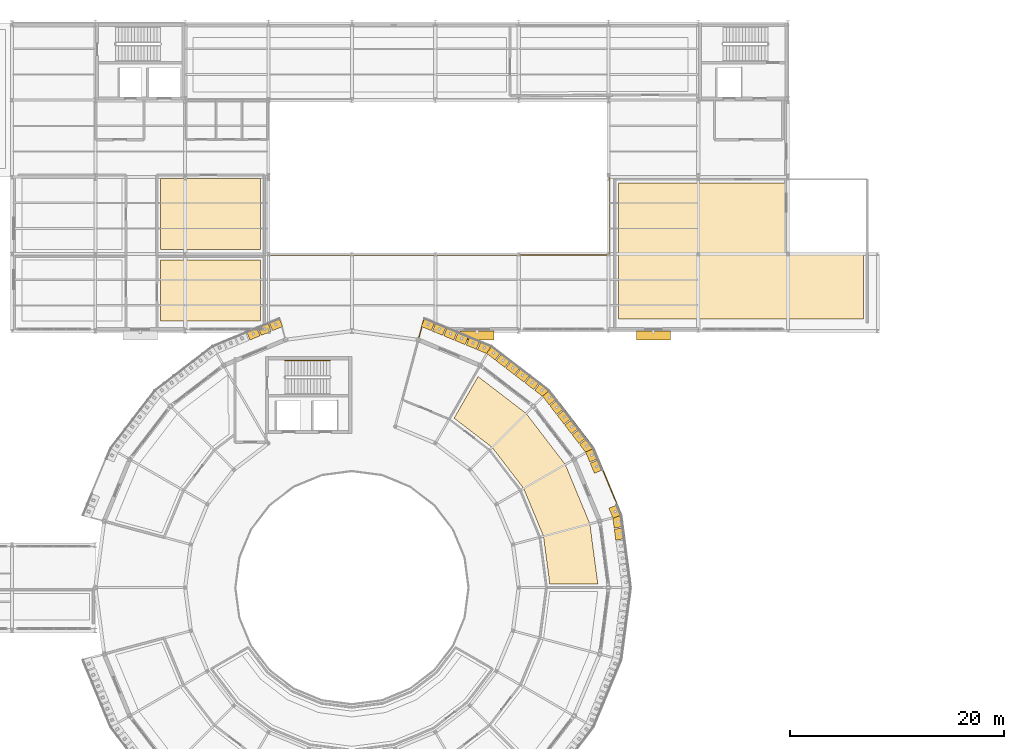
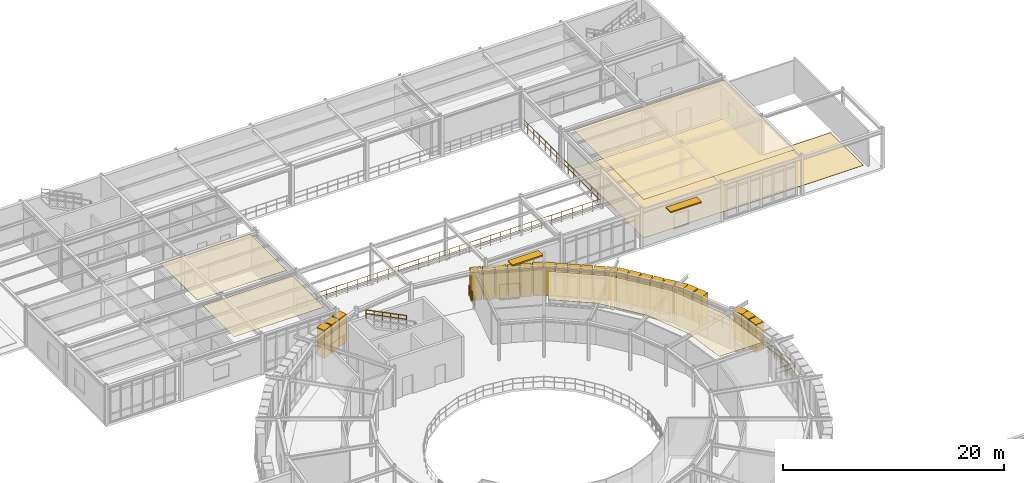
# One storey, part 103 of 106: 28 shading devices, 5 coverings, 3 railings.
"""IFC4 building model written with IfcOpenShell, lengths in metres."""

from ifc_helpers import new_model, si_unit, derived_unit, direction, frame, origin, origin_2d, place, context, subcontext, project, spatial, polyline, rectangle, circle, outline, extrude, material, layer, layer_set, type_object, element, save


model = new_model("IFC4")

# Units and contexts
model_context = context("Model", 3, precision=1e-05, world=origin(), true_north=direction((0.0, 1.0)))
body_context = subcontext(model_context, "Body", "Model", "MODEL_VIEW")
ifc_project = project(units=[si_unit("LENGTHUNIT", "METRE"), si_unit("AREAUNIT", "SQUARE_METRE"), si_unit("VOLUMEUNIT", "CUBIC_METRE"), si_unit("PLANEANGLEUNIT", "RADIAN"), si_unit("MASSUNIT", "GRAM", prefix="KILO"), derived_unit("THERMALTRANSMITTANCEUNIT", [(si_unit("POWERUNIT", "WATT"), 1), (si_unit("AREAUNIT", "SQUARE_METRE"), -1), (si_unit("THERMODYNAMICTEMPERATUREUNIT", "KELVIN"), -1)])], contexts=[model_context])

# Site, building, storey
site_placement = place(None, origin())
site = spatial("IfcSite", under=ifc_project, at=site_placement, CompositionType="ELEMENT")
building_placement = place(site_placement, origin())
building = spatial("IfcBuilding", under=site, at=building_placement, Name="Yasenodar Specialist Clinic", CompositionType="ELEMENT")
storey_placement = place(building_placement, frame((0.0, 0.0, 4.5)))
storey = spatial("IfcBuildingStorey", under=building, at=storey_placement, Name="L01", CompositionType="ELEMENT", Elevation=4.5)

# Coverings
ifc_material_1 = material(Name="Hygienic Acoustic Mineral-Fibre Ceiling")
ifc_layer_1 = layer(ifc_material_1, 0.02490234375)
ifc_layer_set_1 = layer_set([ifc_layer_1], Name="Hygienic Acoustic Mineral-Fibre Ceiling")
covering_type_1 = type_object("IfcCoveringType", Name="COV-CEIL-AC", PredefinedType="CEILING", material=ifc_layer_set_1)
covering_1_placement = place(storey_placement, frame((0.0, 0.0, 4.22509765625)))
element("IfcCovering", 1, at=covering_1_placement, inside=storey, type_object=covering_type_1, Name="L01 Oncology Infusion Bay Suite North-East Acoustic Ceiling", PredefinedType="CEILING", context=body_context, shape_type="SweptSolid", body=[
    extrude(outline(polyline([(98.922119140625, 63.5859375), (98.9140625, 63.615966796875), (98.903076171875, 63.64404296875), (97.0849609375, 68.033935546875), (97.072021484375, 68.06201171875), (97.056884765625, 68.087890625), (97.0390625, 68.113037109375), (94.14697265625, 71.882080078125), (94.126953125, 71.906005859375), (94.10595703125, 71.927001953125), (94.08203125, 71.947021484375), (90.556884765625, 74.653076171875), (92.803955078125, 78.5439453125), (97.297119140625, 75.096923828125), (100.958984375, 70.322998046875), (103.261962890625, 64.764892578125), (104.0009765625, 59.14990234375), (99.507080078125, 59.14990234375), (98.927001953125, 63.555908203125), (98.922119140625, 63.5859375)])), origin(), (0.0, 0.0, 1.0), 0.02490234375),
])
covering_2_placement = place(storey_placement, frame((0.0, 0.0, 4.22509765625)))
element("IfcCovering", 2, at=covering_2_placement, inside=storey, type_object=covering_type_1, Name="L01 Endoscopy Procedure Suite 02 Acoustic Ceiling", PredefinedType="CEILING", context=body_context, shape_type="SweptSolid", body=[
    extrude(outline(polyline([(72.449951171875, 89.449951171875), (72.449951171875, 83.75), (63.10009765625, 83.75), (63.10009765625, 89.449951171875), (72.449951171875, 89.449951171875)])), origin(), (0.0, 0.0, 1.0), 0.02490234375),
])
covering_3_placement = place(storey_placement, frame((0.0, 0.0, 4.22509765625)))
element("IfcCovering", 3, at=covering_3_placement, inside=storey, type_object=covering_type_1, Name="L01 Endoscopy Step-Down Recovery Bay Acoustic Ceiling", PredefinedType="CEILING", context=body_context, shape_type="SweptSolid", body=[
    extrude(outline(polyline([(72.449951171875, 97.050048828125), (72.449951171875, 90.449951171875), (63.10009765625, 90.449951171875), (63.10009765625, 97.050048828125), (72.449951171875, 97.050048828125)])), origin(), (0.0, 0.0, 1.0), 0.02490234375),
])
covering_4_placement = place(storey_placement, frame((0.0, 0.0, 4.22509765625)))
element("IfcCovering", 4, at=covering_4_placement, inside=storey, type_object=covering_type_1, Name="L01 Pain Block Procedure Suite Acoustic Ceiling", PredefinedType="CEILING", context=body_context, shape_type="SweptSolid", body=[
    extrude(outline(polyline([(105.949951171875, 83.949951171875), (105.949951171875, 96.64990234375), (121.699951171875, 96.64990234375), (121.699951171875, 83.949951171875), (105.949951171875, 83.949951171875)])), origin(), (0.0, 0.0, 1.0), 0.02490234375),
])
ifc_material_2 = material(Name="Seamless Epoxy Terrazzo Clinical Flooring")
ifc_layer_2 = layer(ifc_material_2, 0.02001953125)
ifc_layer_set_2 = layer_set([ifc_layer_2], Name="Seamless Epoxy Terrazzo Clinical Flooring")
covering_type_2 = type_object("IfcCoveringType", Name="COV-FLR-TERR", PredefinedType="FLOORING", material=ifc_layer_set_2)
covering_5_placement = place(storey_placement, origin())
element("IfcCovering", 5, at=covering_5_placement, inside=storey, type_object=covering_type_2, Name="L01 Pain Block Procedure Suite Terrazzo Flooring", PredefinedType="FLOORING", context=body_context, shape_type="SweptSolid", body=[
    extrude(outline(polyline([(128.85009765625, 83.949951171875), (105.949951171875, 83.949951171875), (105.949951171875, 96.64990234375), (121.699951171875, 96.64990234375), (121.699951171875, 90.0), (121.699951171875, 89.989990234375), (121.701904296875, 89.97998046875), (121.7041015625, 89.970947265625), (121.7080078125, 89.9619140625), (121.7119140625, 89.952880859375), (121.717041015625, 89.944091796875), (121.722900390625, 89.93701171875), (121.72900390625, 89.928955078125), (121.737060546875, 89.923095703125), (121.743896484375, 89.9169921875), (121.7529296875, 89.912109375), (121.761962890625, 89.907958984375), (121.77099609375, 89.904052734375), (121.780029296875, 89.902099609375), (121.7900390625, 89.89990234375), (121.800048828125, 89.89990234375), (128.85009765625, 89.89990234375), (128.85009765625, 83.949951171875)])), origin(), (0.0, 0.0, 1.0), 0.02001953125),
])

# Railings
ifc_material_3 = material(Name="Bronze Anodized Aluminium and Larch Balustrade", Category="aluminium")
railing_type_1 = type_object("IfcRailingType", Name="RL-BAL-1120", PredefinedType="BALUSTRADE", material=ifc_material_3)
railing_1_placement = place(storey_placement, frame((105.219970703125, 58.800048828125, 0.0)))
element("IfcRailing", 6, at=railing_1_placement, inside=storey, type_object=railing_type_1, Name="L01 Drum V1 Balcony Balustrade 1", PredefinedType="BALUSTRADE", context=body_context, shape_type="SweptSolid", body=[
    extrude(circle(Radius=0.02392578125, at=origin_2d()), frame((0.0, 0.0, 1.09619140625), z_axis=(1.0, 0.0, 0.0), x_axis=(0.0, 1.0, 0.0)), (0.0, 0.0, 1.0), 1.900146484375),
    extrude(circle(Radius=0.02392578125, at=origin_2d()), frame((0.0, 0.0, 0.58251953125), z_axis=(1.0, 0.0, 0.0), x_axis=(0.0, 1.0, 0.0)), (0.0, 0.0, 1.0), 1.900146484375),
    extrude(circle(Radius=0.02392578125, at=origin_2d()), frame((1.900146484375, 0.0, 1.09619140625), z_axis=(-0.130545279945, 0.99144234824, 0.0), x_axis=(-0.99144234824, -0.130545279945, 0.0)), (0.0, 0.0, 1.0), 6.818603515625),
    extrude(circle(Radius=0.02392578125, at=origin_2d()), frame((1.900146484375, 0.0, 0.58251953125), z_axis=(-0.130545279945, 0.99144234824, 0.0), x_axis=(-0.99144234824, -0.130545279945, 0.0)), (0.0, 0.0, 1.0), 6.818603515625),
    extrude(circle(Radius=0.02392578125, at=origin_2d()), frame((1.010009765625, 6.76025390625, 1.09619140625), z_axis=(-0.382672223843, 0.923884175154, 0.0), x_axis=(-0.923884175154, -0.382672223843, 0.0)), (0.0, 0.0, 1.0), 6.81884765625),
    extrude(circle(Radius=0.02392578125, at=origin_2d()), frame((1.010009765625, 6.76025390625, 0.58251953125), z_axis=(-0.382672223843, 0.923884175154, 0.0), x_axis=(-0.923884175154, -0.382672223843, 0.0)), (0.0, 0.0, 1.0), 6.81884765625),
    extrude(circle(Radius=0.02392578125, at=origin_2d()), frame((-1.599365234375, 13.06005859375, 1.09619140625), z_axis=(-0.608791534996, 0.793330238247, 0.0), x_axis=(-0.793330238247, -0.608791534996, 0.0)), (0.0, 0.0, 1.0), 6.818603515625),
    extrude(circle(Radius=0.02392578125, at=origin_2d()), frame((-1.599365234375, 13.06005859375, 0.58251953125), z_axis=(-0.608791534996, 0.793330238247, 0.0), x_axis=(-0.793330238247, -0.608791534996, 0.0)), (0.0, 0.0, 1.0), 6.818603515625),
    extrude(circle(Radius=0.02392578125, at=origin_2d()), frame((-5.75048828125, 18.469482421875, 1.09619140625), z_axis=(-0.793330238247, 0.608791534996, 0.0), x_axis=(-0.608791534996, -0.793330238247, 0.0)), (0.0, 0.0, 1.0), 6.818603515625),
    extrude(circle(Radius=0.02392578125, at=origin_2d()), frame((-5.75048828125, 18.469482421875, 0.58251953125), z_axis=(-0.793330238247, 0.608791534996, 0.0), x_axis=(-0.608791534996, -0.793330238247, 0.0)), (0.0, 0.0, 1.0), 6.818603515625),
    extrude(circle(Radius=0.02392578125, at=origin_2d()), frame((-11.159912109375, 22.62060546875, 1.09619140625), z_axis=(-0.923878931839, 0.382684882513, 0.0), x_axis=(-0.382684882513, -0.923878931839, 0.0)), (0.0, 0.0, 1.0), 6.818603515625),
    extrude(circle(Radius=0.02392578125, at=origin_2d()), frame((-11.159912109375, 22.62060546875, 0.58251953125), z_axis=(-0.923878931839, 0.382684882513, 0.0), x_axis=(-0.382684882513, -0.923878931839, 0.0)), (0.0, 0.0, 1.0), 6.818603515625),
    extrude(circle(Radius=0.02392578125, at=origin_2d()), frame((-17.45947265625, 25.22998046875, 1.09619140625), z_axis=(-0.258885930111, -0.965907902023, 0.0), x_axis=(0.965907902023, -0.258885930111, 0.0)), (0.0, 0.0, 1.0), 1.900146484375),
    extrude(circle(Radius=0.02392578125, at=origin_2d()), frame((-17.45947265625, 25.22998046875, 0.58251953125), z_axis=(-0.258885930111, -0.965907902023, 0.0), x_axis=(0.965907902023, -0.258885930111, 0.0)), (0.0, 0.0, 1.0), 1.900146484375),
    extrude(circle(Radius=0.02099609375, at=origin_2d()), origin(), (0.0, 0.0, 1.0), 1.072021484375),
    extrude(circle(Radius=0.02099609375, at=origin_2d()), frame((0.9501953125, 0.0, 0.0)), (0.0, 0.0, 1.0), 1.072021484375),
    extrude(circle(Radius=0.02099609375, at=origin_2d()), frame((1.900146484375, 0.0, 0.0)), (0.0, 0.0, 1.0), 1.072021484375),
    extrude(circle(Radius=0.02099609375, at=origin_2d()), frame((1.77294921875, 0.9658203125, 0.0)), (0.0, 0.0, 1.0), 1.072021484375),
    extrude(circle(Radius=0.02099609375, at=origin_2d()), frame((1.645751953125, 1.931396484375, 0.0)), (0.0, 0.0, 1.0), 1.072021484375),
    extrude(circle(Radius=0.02099609375, at=origin_2d()), frame((1.5185546875, 2.897216796875, 0.0)), (0.0, 0.0, 1.0), 1.072021484375),
    extrude(circle(Radius=0.02099609375, at=origin_2d()), frame((1.3916015625, 3.863037109375, 0.0)), (0.0, 0.0, 1.0), 1.072021484375),
    extrude(circle(Radius=0.02099609375, at=origin_2d()), frame((1.264404296875, 4.828857421875, 0.0)), (0.0, 0.0, 1.0), 1.072021484375),
    extrude(circle(Radius=0.02099609375, at=origin_2d()), frame((1.13720703125, 5.79443359375, 0.0)), (0.0, 0.0, 1.0), 1.072021484375),
    extrude(circle(Radius=0.02099609375, at=origin_2d()), frame((1.010009765625, 6.76025390625, 0.0)), (0.0, 0.0, 1.0), 1.072021484375),
    extrude(circle(Radius=0.02099609375, at=origin_2d()), frame((0.63720703125, 7.66015625, 0.0)), (0.0, 0.0, 1.0), 1.072021484375),
    extrude(circle(Radius=0.02099609375, at=origin_2d()), frame((0.264404296875, 8.560302734375, 0.0)), (0.0, 0.0, 1.0), 1.072021484375),
    extrude(circle(Radius=0.02099609375, at=origin_2d()), frame((-0.1083984375, 9.460205078125, 0.0)), (0.0, 0.0, 1.0), 1.072021484375),
    extrude(circle(Radius=0.02099609375, at=origin_2d()), frame((-0.48095703125, 10.360107421875, 0.0)), (0.0, 0.0, 1.0), 1.072021484375),
    extrude(circle(Radius=0.02099609375, at=origin_2d()), frame((-0.853759765625, 11.260009765625, 0.0)), (0.0, 0.0, 1.0), 1.072021484375),
    extrude(circle(Radius=0.02099609375, at=origin_2d()), frame((-1.2265625, 12.16015625, 0.0)), (0.0, 0.0, 1.0), 1.072021484375),
    extrude(circle(Radius=0.02099609375, at=origin_2d()), frame((-1.599365234375, 13.06005859375, 0.0)), (0.0, 0.0, 1.0), 1.072021484375),
    extrude(circle(Radius=0.02099609375, at=origin_2d()), frame((-2.1923828125, 13.832763671875, 0.0)), (0.0, 0.0, 1.0), 1.072021484375),
    extrude(circle(Radius=0.02099609375, at=origin_2d()), frame((-2.785400390625, 14.605712890625, 0.0)), (0.0, 0.0, 1.0), 1.072021484375),
    extrude(circle(Radius=0.02099609375, at=origin_2d()), frame((-3.37841796875, 15.37841796875, 0.0)), (0.0, 0.0, 1.0), 1.072021484375),
    extrude(circle(Radius=0.02099609375, at=origin_2d()), frame((-3.971435546875, 16.151123046875, 0.0)), (0.0, 0.0, 1.0), 1.072021484375),
    extrude(circle(Radius=0.02099609375, at=origin_2d()), frame((-4.564453125, 16.923828125, 0.0)), (0.0, 0.0, 1.0), 1.072021484375),
    extrude(circle(Radius=0.02099609375, at=origin_2d()), frame((-5.157470703125, 17.69677734375, 0.0)), (0.0, 0.0, 1.0), 1.072021484375),
    extrude(circle(Radius=0.02099609375, at=origin_2d()), frame((-5.75048828125, 18.469482421875, 0.0)), (0.0, 0.0, 1.0), 1.072021484375),
    extrude(circle(Radius=0.02099609375, at=origin_2d()), frame((-6.523193359375, 19.0625, 0.0)), (0.0, 0.0, 1.0), 1.072021484375),
    extrude(circle(Radius=0.02099609375, at=origin_2d()), frame((-7.296142578125, 19.655517578125, 0.0)), (0.0, 0.0, 1.0), 1.072021484375),
    extrude(circle(Radius=0.02099609375, at=origin_2d()), frame((-8.06884765625, 20.24853515625, 0.0)), (0.0, 0.0, 1.0), 1.072021484375),
    extrude(circle(Radius=0.02099609375, at=origin_2d()), frame((-8.841552734375, 20.841552734375, 0.0)), (0.0, 0.0, 1.0), 1.072021484375),
    extrude(circle(Radius=0.02099609375, at=origin_2d()), frame((-9.6142578125, 21.4345703125, 0.0)), (0.0, 0.0, 1.0), 1.072021484375),
    extrude(circle(Radius=0.02099609375, at=origin_2d()), frame((-10.38720703125, 22.027587890625, 0.0)), (0.0, 0.0, 1.0), 1.072021484375),
    extrude(circle(Radius=0.02099609375, at=origin_2d()), frame((-11.159912109375, 22.62060546875, 0.0)), (0.0, 0.0, 1.0), 1.072021484375),
    extrude(circle(Radius=0.02099609375, at=origin_2d()), frame((-12.059814453125, 22.993408203125, 0.0)), (0.0, 0.0, 1.0), 1.072021484375),
    extrude(circle(Radius=0.02099609375, at=origin_2d()), frame((-12.959716796875, 23.3662109375, 0.0)), (0.0, 0.0, 1.0), 1.072021484375),
    extrude(circle(Radius=0.02099609375, at=origin_2d()), frame((-13.859619140625, 23.739013671875, 0.0)), (0.0, 0.0, 1.0), 1.072021484375),
    extrude(circle(Radius=0.02099609375, at=origin_2d()), frame((-14.759765625, 24.111572265625, 0.0)), (0.0, 0.0, 1.0), 1.072021484375),
    extrude(circle(Radius=0.02099609375, at=origin_2d()), frame((-15.65966796875, 24.484375, 0.0)), (0.0, 0.0, 1.0), 1.072021484375),
    extrude(circle(Radius=0.02099609375, at=origin_2d()), frame((-16.5595703125, 24.857177734375, 0.0)), (0.0, 0.0, 1.0), 1.072021484375),
    extrude(circle(Radius=0.02099609375, at=origin_2d()), frame((-17.45947265625, 25.22998046875, 0.0)), (0.0, 0.0, 1.0), 1.072021484375),
    extrude(circle(Radius=0.02099609375, at=origin_2d()), frame((-17.70556640625, 24.312255859375, 0.0)), (0.0, 0.0, 1.0), 1.072021484375),
    extrude(circle(Radius=0.02099609375, at=origin_2d()), frame((-17.951416015625, 23.39453125, 0.0)), (0.0, 0.0, 1.0), 1.072021484375),
])
ifc_material_4 = material(Name="Steel S355 Painted Guardrail", Category="steel")
railing_type_2 = type_object("IfcRailingType", Name="RL-GRD-1120", PredefinedType="GUARDRAIL", material=ifc_material_4)
railing_2_placement = place(storey_placement, frame((73.10009765625, 89.89990234375, 0.0)))
element("IfcRailing", 7, at=railing_2_placement, inside=storey, type_object=railing_type_2, Name="L01 V5 Lightwell South-East Guardrail", PredefinedType="GUARDRAIL", context=body_context, shape_type="SweptSolid", body=[
    extrude(circle(Radius=0.02392578125, at=origin_2d()), frame((0.0, 0.0, 1.09619140625), z_axis=(1.0, 0.0, 0.0), x_axis=(0.0, 1.0, 0.0)), (0.0, 0.0, 1.0), 32.0),
    extrude(circle(Radius=0.02392578125, at=origin_2d()), frame((0.0, 0.0, 0.58251953125), z_axis=(1.0, 0.0, 0.0), x_axis=(0.0, 1.0, 0.0)), (0.0, 0.0, 1.0), 32.0),
    extrude(circle(Radius=0.02392578125, at=origin_2d()), frame((32.0, 0.0, 1.09619140625), z_axis=(0.0, 1.0, 0.0), x_axis=(-1.0, 0.0, 0.0)), (0.0, 0.0, 1.0), 14.60009765625),
    extrude(circle(Radius=0.02392578125, at=origin_2d()), frame((32.0, 0.0, 0.58251953125), z_axis=(0.0, 1.0, 0.0), x_axis=(-1.0, 0.0, 0.0)), (0.0, 0.0, 1.0), 14.60009765625),
    extrude(circle(Radius=0.02099609375, at=origin_2d()), origin(), (0.0, 0.0, 1.0), 1.072021484375),
    extrude(circle(Radius=0.02099609375, at=origin_2d()), frame((1.066650390625, 0.0, 0.0)), (0.0, 0.0, 1.0), 1.072021484375),
    extrude(circle(Radius=0.02099609375, at=origin_2d()), frame((2.13330078125, 0.0, 0.0)), (0.0, 0.0, 1.0), 1.072021484375),
    extrude(circle(Radius=0.02099609375, at=origin_2d()), frame((3.199951171875, 0.0, 0.0)), (0.0, 0.0, 1.0), 1.072021484375),
    extrude(circle(Radius=0.02099609375, at=origin_2d()), frame((4.2666015625, 0.0, 0.0)), (0.0, 0.0, 1.0), 1.072021484375),
    extrude(circle(Radius=0.02099609375, at=origin_2d()), frame((5.333251953125, 0.0, 0.0)), (0.0, 0.0, 1.0), 1.072021484375),
    extrude(circle(Radius=0.02099609375, at=origin_2d()), frame((6.39990234375, 0.0, 0.0)), (0.0, 0.0, 1.0), 1.072021484375),
    extrude(circle(Radius=0.02099609375, at=origin_2d()), frame((7.466552734375, 0.0, 0.0)), (0.0, 0.0, 1.0), 1.072021484375),
    extrude(circle(Radius=0.02099609375, at=origin_2d()), frame((8.533447265625, 0.0, 0.0)), (0.0, 0.0, 1.0), 1.072021484375),
    extrude(circle(Radius=0.02099609375, at=origin_2d()), frame((9.60009765625, 0.0, 0.0)), (0.0, 0.0, 1.0), 1.072021484375),
    extrude(circle(Radius=0.02099609375, at=origin_2d()), frame((10.666748046875, 0.0, 0.0)), (0.0, 0.0, 1.0), 1.072021484375),
    extrude(circle(Radius=0.02099609375, at=origin_2d()), frame((11.7333984375, 0.0, 0.0)), (0.0, 0.0, 1.0), 1.072021484375),
    extrude(circle(Radius=0.02099609375, at=origin_2d()), frame((12.800048828125, 0.0, 0.0)), (0.0, 0.0, 1.0), 1.072021484375),
    extrude(circle(Radius=0.02099609375, at=origin_2d()), frame((13.86669921875, 0.0, 0.0)), (0.0, 0.0, 1.0), 1.072021484375),
    extrude(circle(Radius=0.02099609375, at=origin_2d()), frame((14.933349609375, 0.0, 0.0)), (0.0, 0.0, 1.0), 1.072021484375),
    extrude(circle(Radius=0.02099609375, at=origin_2d()), frame((16.0, 0.0, 0.0)), (0.0, 0.0, 1.0), 1.072021484375),
    extrude(circle(Radius=0.02099609375, at=origin_2d()), frame((17.066650390625, 0.0, 0.0)), (0.0, 0.0, 1.0), 1.072021484375),
    extrude(circle(Radius=0.02099609375, at=origin_2d()), frame((18.13330078125, 0.0, 0.0)), (0.0, 0.0, 1.0), 1.072021484375),
    extrude(circle(Radius=0.02099609375, at=origin_2d()), frame((19.199951171875, 0.0, 0.0)), (0.0, 0.0, 1.0), 1.072021484375),
    extrude(circle(Radius=0.02099609375, at=origin_2d()), frame((20.2666015625, 0.0, 0.0)), (0.0, 0.0, 1.0), 1.072021484375),
    extrude(circle(Radius=0.02099609375, at=origin_2d()), frame((21.333251953125, 0.0, 0.0)), (0.0, 0.0, 1.0), 1.072021484375),
    extrude(circle(Radius=0.02099609375, at=origin_2d()), frame((22.39990234375, 0.0, 0.0)), (0.0, 0.0, 1.0), 1.072021484375),
    extrude(circle(Radius=0.02099609375, at=origin_2d()), frame((23.466552734375, 0.0, 0.0)), (0.0, 0.0, 1.0), 1.072021484375),
    extrude(circle(Radius=0.02099609375, at=origin_2d()), frame((24.533447265625, 0.0, 0.0)), (0.0, 0.0, 1.0), 1.072021484375),
    extrude(circle(Radius=0.02099609375, at=origin_2d()), frame((25.60009765625, 0.0, 0.0)), (0.0, 0.0, 1.0), 1.072021484375),
    extrude(circle(Radius=0.02099609375, at=origin_2d()), frame((26.666748046875, 0.0, 0.0)), (0.0, 0.0, 1.0), 1.072021484375),
    extrude(circle(Radius=0.02099609375, at=origin_2d()), frame((27.7333984375, 0.0, 0.0)), (0.0, 0.0, 1.0), 1.072021484375),
    extrude(circle(Radius=0.02099609375, at=origin_2d()), frame((28.800048828125, 0.0, 0.0)), (0.0, 0.0, 1.0), 1.072021484375),
    extrude(circle(Radius=0.02099609375, at=origin_2d()), frame((29.86669921875, 0.0, 0.0)), (0.0, 0.0, 1.0), 1.072021484375),
    extrude(circle(Radius=0.02099609375, at=origin_2d()), frame((30.933349609375, 0.0, 0.0)), (0.0, 0.0, 1.0), 1.072021484375),
    extrude(circle(Radius=0.02099609375, at=origin_2d()), frame((32.0, 0.0, 0.0)), (0.0, 0.0, 1.0), 1.072021484375),
    extrude(circle(Radius=0.02099609375, at=origin_2d()), frame((32.0, 1.04296875, 0.0)), (0.0, 0.0, 1.0), 1.072021484375),
    extrude(circle(Radius=0.02099609375, at=origin_2d()), frame((32.0, 2.085693359375, 0.0)), (0.0, 0.0, 1.0), 1.072021484375),
    extrude(circle(Radius=0.02099609375, at=origin_2d()), frame((32.0, 3.128662109375, 0.0)), (0.0, 0.0, 1.0), 1.072021484375),
    extrude(circle(Radius=0.02099609375, at=origin_2d()), frame((32.0, 4.17138671875, 0.0)), (0.0, 0.0, 1.0), 1.072021484375),
    extrude(circle(Radius=0.02099609375, at=origin_2d()), frame((32.0, 5.21435546875, 0.0)), (0.0, 0.0, 1.0), 1.072021484375),
    extrude(circle(Radius=0.02099609375, at=origin_2d()), frame((32.0, 6.257080078125, 0.0)), (0.0, 0.0, 1.0), 1.072021484375),
    extrude(circle(Radius=0.02099609375, at=origin_2d()), frame((32.0, 7.300048828125, 0.0)), (0.0, 0.0, 1.0), 1.072021484375),
    extrude(circle(Radius=0.02099609375, at=origin_2d()), frame((32.0, 8.343017578125, 0.0)), (0.0, 0.0, 1.0), 1.072021484375),
    extrude(circle(Radius=0.02099609375, at=origin_2d()), frame((32.0, 9.3857421875, 0.0)), (0.0, 0.0, 1.0), 1.072021484375),
    extrude(circle(Radius=0.02099609375, at=origin_2d()), frame((32.0, 10.4287109375, 0.0)), (0.0, 0.0, 1.0), 1.072021484375),
    extrude(circle(Radius=0.02099609375, at=origin_2d()), frame((32.0, 11.471435546875, 0.0)), (0.0, 0.0, 1.0), 1.072021484375),
    extrude(circle(Radius=0.02099609375, at=origin_2d()), frame((32.0, 12.514404296875, 0.0)), (0.0, 0.0, 1.0), 1.072021484375),
    extrude(circle(Radius=0.02099609375, at=origin_2d()), frame((32.0, 13.55712890625, 0.0)), (0.0, 0.0, 1.0), 1.072021484375),
    extrude(circle(Radius=0.02099609375, at=origin_2d()), frame((32.0, 14.60009765625, 0.0)), (0.0, 0.0, 1.0), 1.072021484375),
])
ifc_material_5 = material(Name="Brushed Stainless Steel Handrail", Category="steel")
railing_type_3 = type_object("IfcRailingType", Name="RL-ST-HND", PredefinedType="HANDRAIL", material=ifc_material_5)
railing_3_placement = place(storey_placement, frame((78.93994140625, 80.06005859375, 2.39990234375)))
element("IfcRailing", 8, at=railing_3_placement, inside=storey, type_object=railing_type_3, Name="L01 ST-03 stair handrail 2", PredefinedType="HANDRAIL", context=body_context, shape_type="SweptSolid", body=[
    extrude(circle(Radius=0.02392578125, at=origin_2d()), frame((0.0, 0.0, 0.8759765625), z_axis=(-0.894416792377, 0.0, 0.447234392142), x_axis=(0.0, -1.0, 0.0)), (0.0, 0.0, 1.0), 4.69580078125),
    extrude(circle(Radius=0.02392578125, at=origin_2d()), frame((0.0, 0.0, 0.468017578125), z_axis=(-0.894416792377, 0.0, 0.447234392142), x_axis=(0.0, -1.0, 0.0)), (0.0, 0.0, 1.0), 4.69580078125),
    extrude(circle(Radius=0.02099609375, at=origin_2d()), origin(), (0.0, 0.0, 1.0), 0.851806640625),
    extrude(circle(Radius=0.02099609375, at=origin_2d()), frame((-0.840087890625, 0.0, 0.419921875)), (0.0, 0.0, 1.0), 0.851806640625),
    extrude(circle(Radius=0.02099609375, at=origin_2d()), frame((-1.679931640625, 0.0, 0.840087890625)), (0.0, 0.0, 1.0), 0.851806640625),
    extrude(circle(Radius=0.02099609375, at=origin_2d()), frame((-2.52001953125, 0.0, 1.260009765625)), (0.0, 0.0, 1.0), 0.851806640625),
    extrude(circle(Radius=0.02099609375, at=origin_2d()), frame((-3.35986328125, 0.0, 1.68017578125)), (0.0, 0.0, 1.0), 0.851806640625),
    extrude(circle(Radius=0.02099609375, at=origin_2d()), frame((-4.199951171875, 0.0, 2.10009765625)), (0.0, 0.0, 1.0), 0.851806640625),
])

# Shading devices
ifc_material_6 = material(Name="Bronze Anodized Aluminium Chhajja Sunshade", Category="aluminium")
shading_device_type_1 = type_object("IfcShadingDeviceType", Name="SHD-CHHAJJA-850", PredefinedType="JALOUSIE", material=ifc_material_6)
for number, where, z_axis, x_axis, name in (
    (9, (109.199951171875, 82.3798828125, 3.408203125), (0.0, 0.0, 1.0), (-1.0, 0.0, 0.0), "L01 Chhajja Solar Overhang 449"),
    (10, (92.699951171875, 82.3798828125, 3.30810546875), (0.0, 0.0, 1.0), (-1.0, 0.0, 0.0), "L01 Chhajja Solar Overhang 450"),
):
    element("IfcShadingDevice", number, at=place(storey_placement, frame(where, z_axis=z_axis, x_axis=x_axis)), inside=storey, type_object=shading_device_type_1, Name=name, PredefinedType="JALOUSIE", context=body_context, shape_type="SweptSolid", body=[
        extrude(rectangle(XDim=3.199951171875, YDim=0.85009765625, at=origin_2d()), origin(), (0.0, 0.0, 1.0), 0.139892578125),
    ])
ifc_material_7 = material(Name="Thermally Modified Larch and Bronze Girih Jali Shutter")
shading_device_type_2 = type_object("IfcShadingDeviceType", Name="SHD-JALI-850", PredefinedType="SHUTTER", material=ifc_material_7)
for number, where, z_axis, x_axis, name in (
    (11, (106.034912109375, 63.820556640625, -0.005126953125), (0.0, 0.0, 1.0), (-0.130519185854, 0.991445783754, 0.0), "L01 Mughal Girih Jali Sliding Shutter Frame 0005"),
    (12, (105.885986328125, 64.95068359375, -0.005126953125), (0.0, 0.0, 1.0), (-0.130519185854, 0.991445783754, 0.0), "L01 Mughal Girih Jali Sliding Shutter Frame 0006"),
    (13, (105.627197265625, 65.916259765625, -0.005126953125), (0.0, 0.0, 1.0), (-0.382686667195, 0.923878192594, 0.0), "L01 Mughal Girih Jali Sliding Shutter Frame 0007"),
    (14, (103.88232421875, 70.12890625, -0.005126953125), (0.0, 0.0, 1.0), (-0.382686667195, 0.923878192594, 0.0), "L01 Mughal Girih Jali Sliding Shutter Frame 0008"),
    (15, (103.446044921875, 71.18212890625, -0.005126953125), (0.0, 0.0, 1.0), (-0.382686667195, 0.923878192594, 0.0), "L01 Mughal Girih Jali Sliding Shutter Frame 0009"),
    (16, (102.9462890625, 72.0478515625, -0.005126953125), (0.0, 0.0, 1.0), (-0.608764217148, 0.793351200869, 0.0), "L01 Mughal Girih Jali Sliding Shutter Frame 0010"),
    (17, (102.252197265625, 72.9521484375, -0.005126953125), (0.0, 0.0, 1.0), (-0.608764217148, 0.793351200869, 0.0), "L01 Mughal Girih Jali Sliding Shutter Frame 0011"),
    (18, (101.558349609375, 73.8564453125, -0.005126953125), (0.0, 0.0, 1.0), (-0.608764217148, 0.793351200869, 0.0), "L01 Mughal Girih Jali Sliding Shutter Frame 0012"),
    (19, (100.864501953125, 74.760986328125, -0.005126953125), (0.0, 0.0, 1.0), (-0.608764217148, 0.793351200869, 0.0), "L01 Mughal Girih Jali Sliding Shutter Frame 0013"),
    (20, (100.17041015625, 75.665283203125, -0.005126953125), (0.0, 0.0, 1.0), (-0.608764217148, 0.793351200869, 0.0), "L01 Mughal Girih Jali Sliding Shutter Frame 0014"),
    (21, (99.4765625, 76.569580078125, -0.005126953125), (0.0, 0.0, 1.0), (-0.608764217148, 0.793351200869, 0.0), "L01 Mughal Girih Jali Sliding Shutter Frame 0015"),
    (22, (98.76953125, 77.276611328125, -0.005126953125), (0.0, 0.0, 1.0), (-0.793351200869, 0.608764217148, 0.0), "L01 Mughal Girih Jali Sliding Shutter Frame 0016"),
    (23, (97.865234375, 77.970458984375, -0.005126953125), (0.0, 0.0, 1.0), (-0.793351200869, 0.608764217148, 0.0), "L01 Mughal Girih Jali Sliding Shutter Frame 0017"),
    (24, (96.9609375, 78.664306640625, -0.005126953125), (0.0, 0.0, 1.0), (-0.793351200869, 0.608764217148, 0.0), "L01 Mughal Girih Jali Sliding Shutter Frame 0018"),
    (25, (96.056396484375, 79.3583984375, -0.005126953125), (0.0, 0.0, 1.0), (-0.793351200869, 0.608764217148, 0.0), "L01 Mughal Girih Jali Sliding Shutter Frame 0019"),
    (26, (95.152099609375, 80.05224609375, -0.005126953125), (0.0, 0.0, 1.0), (-0.793351200869, 0.608764217148, 0.0), "L01 Mughal Girih Jali Sliding Shutter Frame 0020"),
    (27, (94.247802734375, 80.74609375, -0.005126953125), (0.0, 0.0, 1.0), (-0.793351200869, 0.608764217148, 0.0), "L01 Mughal Girih Jali Sliding Shutter Frame 0021"),
    (28, (93.382080078125, 81.24609375, -0.005126953125), (0.0, 0.0, 1.0), (-0.923878192594, 0.382686667195, 0.0), "L01 Mughal Girih Jali Sliding Shutter Frame 0022"),
    (29, (92.328857421875, 81.682373046875, -0.005126953125), (0.0, 0.0, 1.0), (-0.923878192594, 0.382686667195, 0.0), "L01 Mughal Girih Jali Sliding Shutter Frame 0023"),
    (30, (91.27587890625, 82.118408203125, -0.005126953125), (0.0, 0.0, 1.0), (-0.923878192594, 0.382686667195, 0.0), "L01 Mughal Girih Jali Sliding Shutter Frame 0024"),
    (31, (90.22265625, 82.5546875, -0.005126953125), (0.0, 0.0, 1.0), (-0.923878192594, 0.382686667195, 0.0), "L01 Mughal Girih Jali Sliding Shutter Frame 0025"),
    (32, (89.16943359375, 82.990966796875, -0.005126953125), (0.0, 0.0, 1.0), (-0.923878192594, 0.382686667195, 0.0), "L01 Mughal Girih Jali Sliding Shutter Frame 0026"),
    (33, (88.1162109375, 83.42724609375, -0.005126953125), (0.0, 0.0, 1.0), (-0.923878192594, 0.382686667195, 0.0), "L01 Mughal Girih Jali Sliding Shutter Frame 0027"),
    (34, (73.8837890625, 83.42724609375, -0.005126953125), (0.0, 0.0, 1.0), (-0.923878192594, -0.382686667195, 0.0), "L01 Mughal Girih Jali Sliding Shutter Frame 0028"),
    (35, (72.83056640625, 82.990966796875, -0.005126953125), (0.0, 0.0, 1.0), (-0.923878192594, -0.382686667195, 0.0), "L01 Mughal Girih Jali Sliding Shutter Frame 0029"),
    (36, (71.77734375, 82.5546875, -0.005126953125), (0.0, 0.0, 1.0), (-0.923878192594, -0.382686667195, 0.0), "L01 Mughal Girih Jali Sliding Shutter Frame 0030"),
):
    element("IfcShadingDevice", number, at=place(storey_placement, frame(where, z_axis=z_axis, x_axis=x_axis)), inside=storey, type_object=shading_device_type_2, Name=name, PredefinedType="SHUTTER", context=body_context, shape_type="SweptSolid", body=[
        extrude(rectangle(XDim=1.02001953125, YDim=0.85009765625, at=origin_2d()), origin(), (0.0, 0.0, 1.0), 3.10009765625),
    ])

save(model, "model.ifc")
